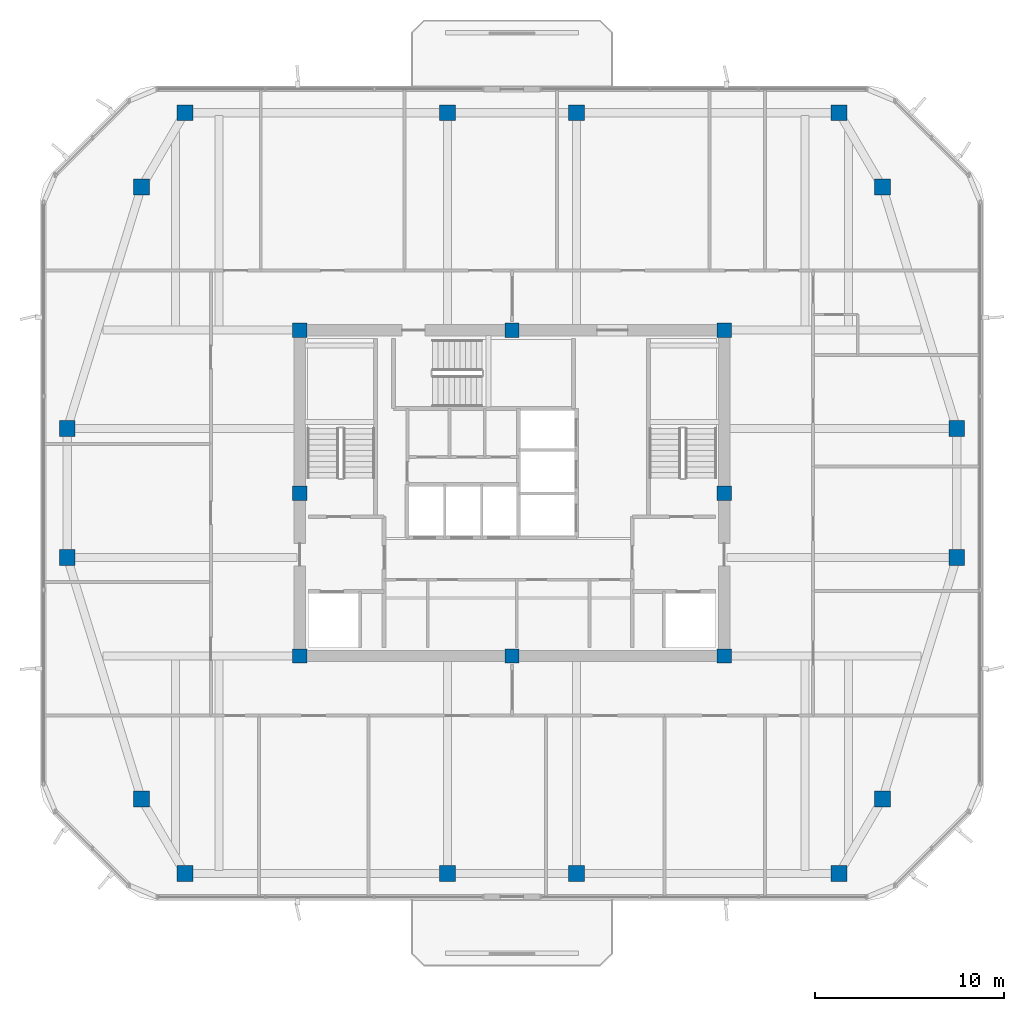
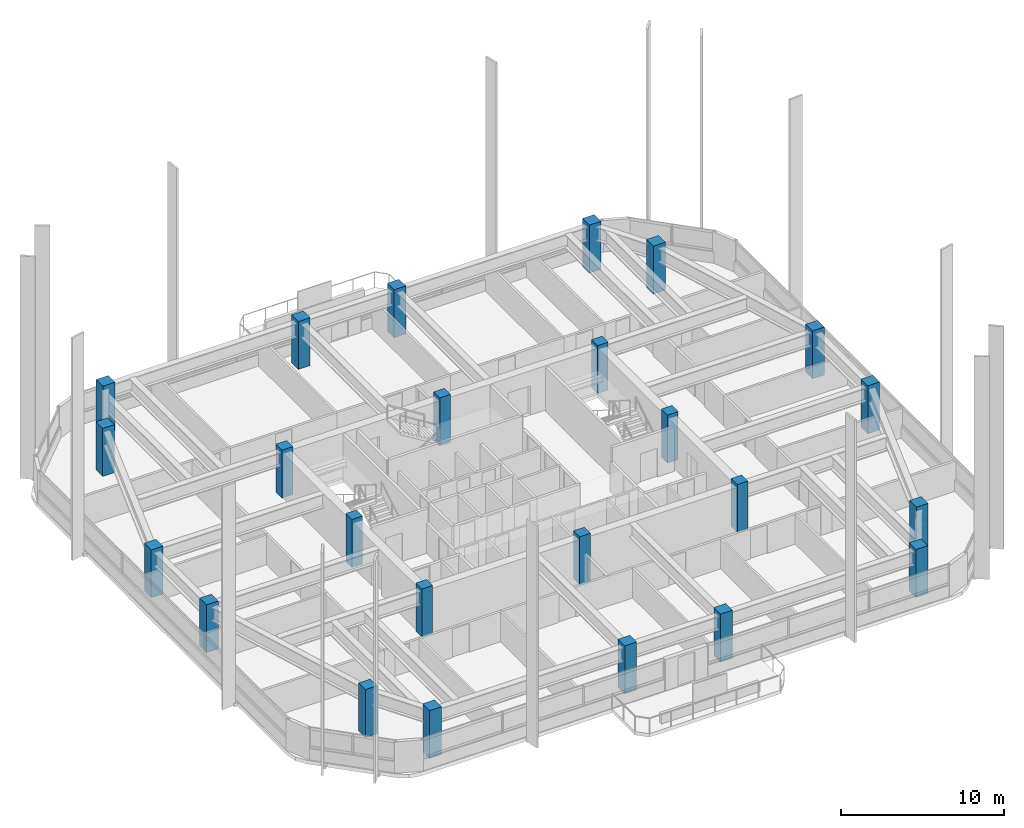
# One storey, part 1 of 13: 24 columns.
"""IFC4 building model written with IfcOpenShell, lengths in metres."""

from ifc_helpers import new_model, si_unit, derived_unit, direction, frame, origin, origin_2d, place, context, subcontext, project, spatial, rectangle, extrude, material, material_profile, profile_set, type_object, element, save


model = new_model("IFC4")

# Units and contexts
model_context = context("Model", 3, precision=1e-05, world=origin(), true_north=direction((0.0, 1.0)))
body_context = subcontext(model_context, "Body", "Model", "MODEL_VIEW")
ifc_project = project(units=[si_unit("LENGTHUNIT", "METRE"), si_unit("AREAUNIT", "SQUARE_METRE"), si_unit("VOLUMEUNIT", "CUBIC_METRE"), si_unit("PLANEANGLEUNIT", "RADIAN"), si_unit("MASSUNIT", "GRAM", prefix="KILO"), derived_unit("THERMALTRANSMITTANCEUNIT", [(si_unit("POWERUNIT", "WATT"), 1), (si_unit("LENGTHUNIT", "METRE"), -2), (si_unit("THERMODYNAMICTEMPERATUREUNIT", "KELVIN"), -1)])], contexts=[model_context])

# Site, building, storey
site_placement = place(None, origin())
site = spatial("IfcSite", under=ifc_project, at=site_placement, CompositionType="ELEMENT")
building_placement = place(site_placement, origin())
building = spatial("IfcBuilding", under=site, at=building_placement, Name="Koralith Skygarden Medical Center", CompositionType="ELEMENT")
storey_placement = place(building_placement, frame((0.0, 0.0, 282.419921875)))
storey = spatial("IfcBuildingStorey", under=building, at=storey_placement, Name="L73", CompositionType="ELEMENT", Elevation=282.419921875)

# Columns
ifc_material = material(Name="Concrete C55/67", Category="concrete")
ifc_material_profile_1 = material_profile(ifc_material, rectangle(XDim=0.760009765625, YDim=0.760009765625, at=origin_2d()), Name="RC760X760")
ifc_profile_set_1 = profile_set([ifc_material_profile_1], Name="Concrete C55/67")
column_type_1 = type_object("IfcColumnType", Name="Core Crown Column C55 RC760", PredefinedType="COLUMN", material=ifc_profile_set_1)
for number, where, z_axis, x_axis, name in (
    (1, (25.800048828125, 17.300048828125, 0.0), (0.0, 0.0, 1.0), (1.0, 0.0, 0.0), "L73 Core Column CC-01"),
    (2, (37.0, 17.300048828125, 0.0), (0.0, 0.0, 1.0), (1.0, 0.0, 0.0), "L73 Core Column CC-02"),
    (3, (48.199951171875, 17.300048828125, 0.0), (0.0, 0.0, 1.0), (1.0, 0.0, 0.0), "L73 Core Column CC-03"),
    (4, (48.199951171875, 25.89990234375, 0.0), (0.0, 0.0, 1.0), (1.0, 0.0, 0.0), "L73 Core Column CC-04"),
    (5, (48.199951171875, 34.5, 0.0), (0.0, 0.0, 1.0), (1.0, 0.0, 0.0), "L73 Core Column CC-05"),
    (6, (37.0, 34.5, 0.0), (0.0, 0.0, 1.0), (1.0, 0.0, 0.0), "L73 Core Column CC-06"),
    (7, (25.800048828125, 34.5, 0.0), (0.0, 0.0, 1.0), (1.0, 0.0, 0.0), "L73 Core Column CC-07"),
    (8, (25.800048828125, 25.89990234375, 0.0), (0.0, 0.0, 1.0), (1.0, 0.0, 0.0), "L73 Core Column CC-08"),
):
    element("IfcColumn", number, at=place(storey_placement, frame(where, z_axis=z_axis, x_axis=x_axis)), inside=storey, type_object=column_type_1, Name=name, PredefinedType="COLUMN", context=body_context, shape_type="SweptSolid", body=[
        extrude(rectangle(XDim=0.760009765625, YDim=0.760009765625, at=origin_2d()), origin(), (0.0, 0.0, 1.0), 3.60009765625),
    ])
ifc_material_profile_2 = material_profile(ifc_material, rectangle(XDim=0.840087890625, YDim=0.840087890625, at=origin_2d()), Name="RC840X840")
ifc_profile_set_2 = profile_set([ifc_material_profile_2], Name="Concrete C55/67")
column_type_2 = type_object("IfcColumnType", Name="Zone 5 Upper Mega-Column C55 RC840", PredefinedType="COLUMN", material=ifc_profile_set_2)
for number, where, z_axis, x_axis, name in (
    (9, (13.52001953125, 22.5, 0.0), (0.0, 0.0, 1.0), (1.0, 0.0, 0.0), "L73 Perimeter Mega-Column MC-01"),
    (10, (17.43994140625, 9.739990234375, 0.0), (0.0, 0.0, 1.0), (1.0, 0.0, 0.0), "L73 Perimeter Mega-Column MC-02"),
    (11, (19.73193359375, 5.820068359375, 0.0), (0.0, 0.0, 1.0), (1.0, 0.0, 0.0), "L73 Perimeter Mega-Column MC-03"),
    (12, (33.60009765625, 5.820068359375, 0.0), (0.0, 0.0, 1.0), (1.0, 0.0, 0.0), "L73 Perimeter Mega-Column MC-04"),
    (13, (40.39990234375, 5.820068359375, 0.0), (0.0, 0.0, 1.0), (1.0, 0.0, 0.0), "L73 Perimeter Mega-Column MC-05"),
    (14, (54.26806640625, 5.820068359375, 0.0), (0.0, 0.0, 1.0), (1.0, 0.0, 0.0), "L73 Perimeter Mega-Column MC-06"),
    (15, (56.56005859375, 9.739990234375, 0.0), (0.0, 0.0, 1.0), (1.0, 0.0, 0.0), "L73 Perimeter Mega-Column MC-07"),
    (16, (60.47998046875, 22.5, 0.0), (0.0, 0.0, 1.0), (1.0, 0.0, 0.0), "L73 Perimeter Mega-Column MC-08"),
    (17, (60.47998046875, 29.300048828125, 0.0), (0.0, 0.0, 1.0), (1.0, 0.0, 0.0), "L73 Perimeter Mega-Column MC-09"),
    (18, (56.56005859375, 42.06005859375, 0.0), (0.0, 0.0, 1.0), (1.0, 0.0, 0.0), "L73 Perimeter Mega-Column MC-10"),
    (19, (54.26806640625, 45.97998046875, 0.0), (0.0, 0.0, 1.0), (1.0, 0.0, 0.0), "L73 Perimeter Mega-Column MC-11"),
    (20, (40.39990234375, 45.97998046875, 0.0), (0.0, 0.0, 1.0), (1.0, 0.0, 0.0), "L73 Perimeter Mega-Column MC-12"),
    (21, (33.60009765625, 45.97998046875, 0.0), (0.0, 0.0, 1.0), (1.0, 0.0, 0.0), "L73 Perimeter Mega-Column MC-13"),
    (22, (19.73193359375, 45.97998046875, 0.0), (0.0, 0.0, 1.0), (1.0, 0.0, 0.0), "L73 Perimeter Mega-Column MC-14"),
    (23, (17.43994140625, 42.06005859375, 0.0), (0.0, 0.0, 1.0), (1.0, 0.0, 0.0), "L73 Perimeter Mega-Column MC-15"),
    (24, (13.52001953125, 29.300048828125, 0.0), (0.0, 0.0, 1.0), (1.0, 0.0, 0.0), "L73 Perimeter Mega-Column MC-16"),
):
    element("IfcColumn", number, at=place(storey_placement, frame(where, z_axis=z_axis, x_axis=x_axis)), inside=storey, type_object=column_type_2, Name=name, PredefinedType="COLUMN", context=body_context, shape_type="SweptSolid", body=[
        extrude(rectangle(XDim=0.840087890625, YDim=0.840087890625, at=origin_2d()), origin(), (0.0, 0.0, 1.0), 3.60009765625),
    ])

save(model, "model.ifc")
